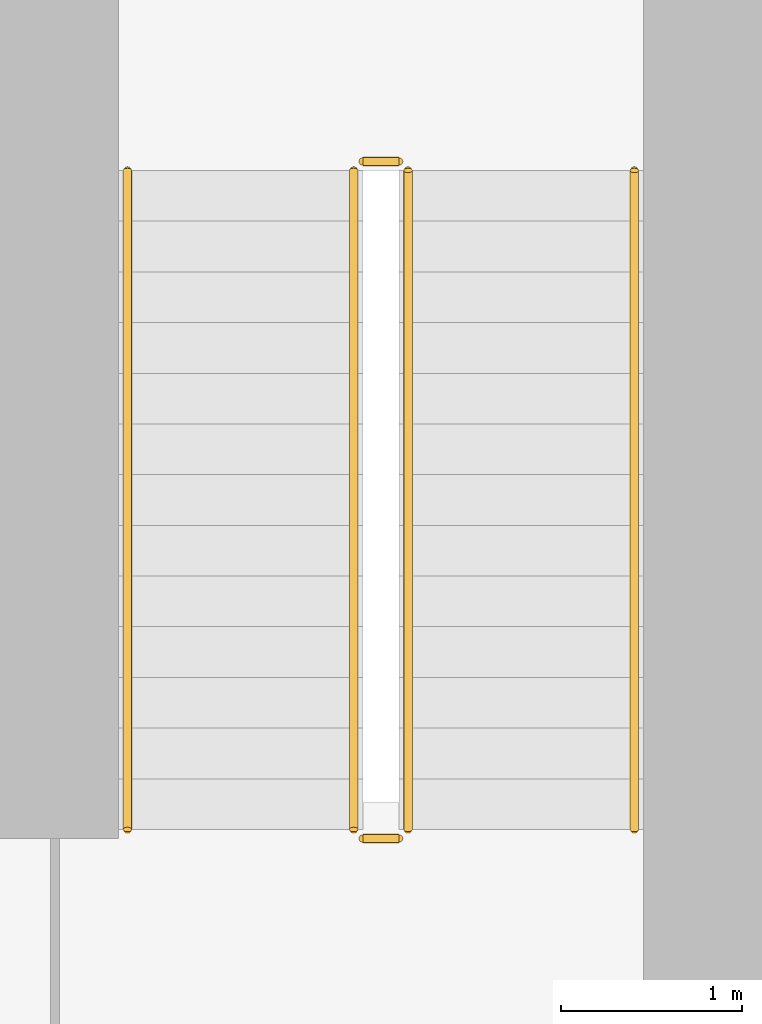
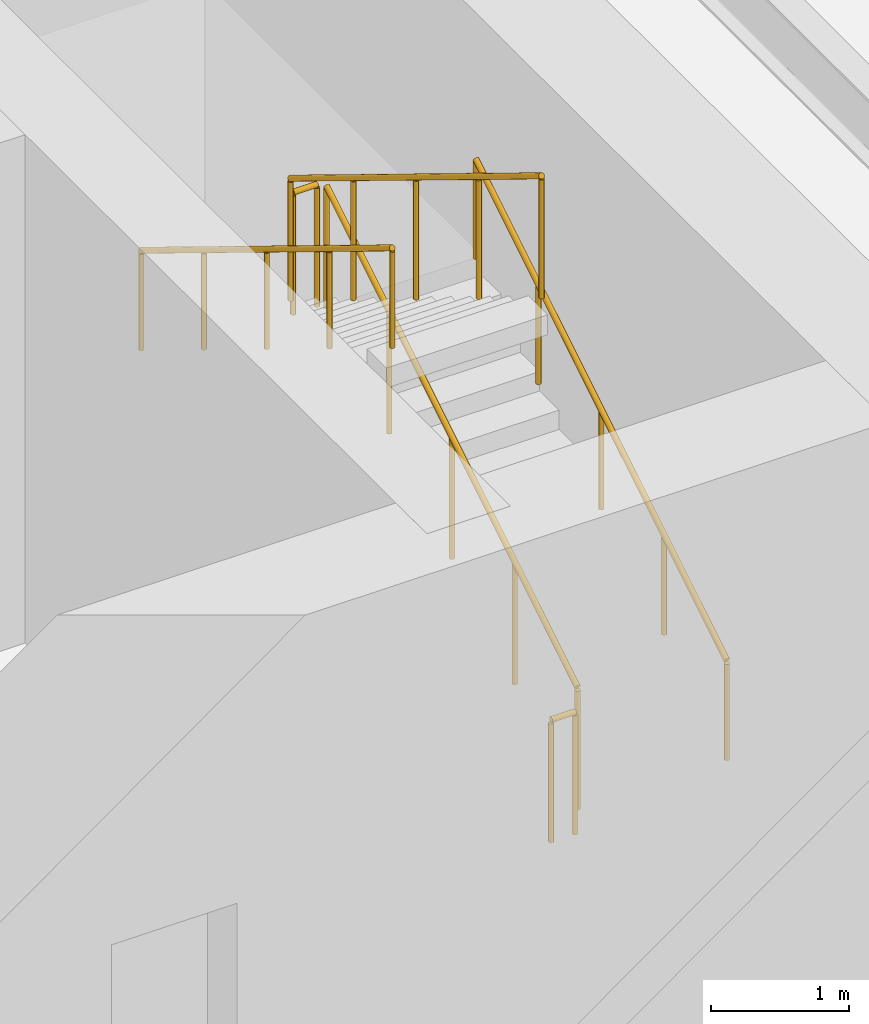
# One storey, part 17 of 17: 6 railings.
"""IFC4 building model written with IfcOpenShell, lengths in metres."""

from ifc_helpers import new_model, si_unit, direction, frame, origin, origin_2d, place, context, subcontext, project, spatial, circle, extrude, material, type_object, element, save


model = new_model("IFC4")

# Units and contexts
model_context = context("Model", 3, precision=1e-05, world=origin(), true_north=direction((0.0, 1.0)))
body_context = subcontext(model_context, "Body", "Model", "MODEL_VIEW")
ifc_project = project(units=[si_unit("LENGTHUNIT", "METRE"), si_unit("AREAUNIT", "SQUARE_METRE"), si_unit("VOLUMEUNIT", "CUBIC_METRE"), si_unit("PLANEANGLEUNIT", "RADIAN"), si_unit("MASSUNIT", "GRAM", prefix="KILO")], contexts=[model_context])

# Site, building, storey
site_placement = place(None, origin())
site = spatial("IfcSite", under=ifc_project, at=site_placement, CompositionType="ELEMENT")
building_placement = place(site_placement, origin())
building = spatial("IfcBuilding", under=site, at=building_placement, Name="Caelmar Bay Residences", CompositionType="ELEMENT")
storey_placement = place(building_placement, frame((0.0, 0.0, 10.199951171875)))
storey = spatial("IfcBuildingStorey", under=building, at=storey_placement, Name="L02", CompositionType="ELEMENT", Elevation=10.199951171875)

# Railings
ifc_material_1 = material(Name="Painted galvanized steel stair guard 1100 mm", Category="steel")
railing_type_1 = type_object("IfcRailingType", Name="RL-GRD-1100", PredefinedType="GUARDRAIL", material=ifc_material_1)
railing_1_placement = place(storey_placement, frame((57.85009765625, 38.699951171875, 0.17138671875)))
element("IfcRailing", 1, at=railing_1_placement, inside=storey, type_object=railing_type_1, Name="L02 ST2 stair guard 1", PredefinedType="GUARDRAIL", context=body_context, shape_type="SweptSolid", body=[
    extrude(circle(Radius=0.02392578125, at=origin_2d()), frame((0.0, 0.0, 1.076171875), z_axis=(0.0, 0.852840387347, 0.522171689878), x_axis=(-1.0, 0.0, 0.0)), (0.0, 0.0, 1.0), 4.268310546875),
    extrude(circle(Radius=0.02099609375, at=origin_2d()), origin(), (0.0, 0.0, 1.0), 1.052001953125),
    extrude(circle(Radius=0.02099609375, at=origin_2d()), frame((0.0, 0.91015625, 0.55712890625)), (0.0, 0.0, 1.0), 1.052001953125),
    extrude(circle(Radius=0.02099609375, at=origin_2d()), frame((0.0, 1.820068359375, 1.1142578125)), (0.0, 0.0, 1.0), 1.052001953125),
    extrude(circle(Radius=0.02099609375, at=origin_2d()), frame((0.0, 2.72998046875, 1.671630859375)), (0.0, 0.0, 1.0), 1.052001953125),
    extrude(circle(Radius=0.02099609375, at=origin_2d()), frame((0.0, 3.64013671875, 2.228759765625)), (0.0, 0.0, 1.0), 1.052001953125),
])
railing_2_placement = place(storey_placement, frame((57.800048828125, 42.389892578125, 2.400146484375)))
element("IfcRailing", 2, at=railing_2_placement, inside=storey, type_object=railing_type_1, Name="L02 ST2 stair guard 2", PredefinedType="GUARDRAIL", context=body_context, shape_type="SweptSolid", body=[
    extrude(circle(Radius=0.02392578125, at=origin_2d()), frame((0.0, 0.0, 1.076171875), z_axis=(-1.0, 0.0, 0.0), x_axis=(0.0, -1.0, 0.0)), (0.0, 0.0, 1.0), 0.199951171875),
    extrude(circle(Radius=0.02099609375, at=origin_2d()), origin(), (0.0, 0.0, 1.0), 1.052001953125),
    extrude(circle(Radius=0.02099609375, at=origin_2d()), frame((-0.199951171875, 0.0, 0.0)), (0.0, 0.0, 1.0), 1.052001953125),
])
railing_3_placement = place(storey_placement, frame((57.550048828125, 42.340087890625, 2.571533203125)))
element("IfcRailing", 3, at=railing_3_placement, inside=storey, type_object=railing_type_1, Name="L02 ST2 stair guard 3", PredefinedType="GUARDRAIL", context=body_context, shape_type="SweptSolid", body=[
    extrude(circle(Radius=0.02392578125, at=origin_2d()), frame((0.0, 0.0, 1.076171875), z_axis=(0.0, -0.852865859571, 0.52213008492), x_axis=(1.0, 0.0, 0.0)), (0.0, 0.0, 1.0), 4.26806640625),
    extrude(circle(Radius=0.02099609375, at=origin_2d()), origin(), (0.0, 0.0, 1.0), 1.052001953125),
    extrude(circle(Radius=0.02099609375, at=origin_2d()), frame((0.0, -0.91015625, 0.55712890625)), (0.0, 0.0, 1.0), 1.052001953125),
    extrude(circle(Radius=0.02099609375, at=origin_2d()), frame((0.0, -1.820068359375, 1.1142578125)), (0.0, 0.0, 1.0), 1.052001953125),
    extrude(circle(Radius=0.02099609375, at=origin_2d()), frame((0.0, -2.72998046875, 1.67138671875)), (0.0, 0.0, 1.0), 1.052001953125),
    extrude(circle(Radius=0.02099609375, at=origin_2d()), frame((0.0, -3.64013671875, 2.228515625)), (0.0, 0.0, 1.0), 1.052001953125),
])
railing_4_placement = place(storey_placement, frame((57.800048828125, 38.64990234375, 0.0)))
element("IfcRailing", 4, at=railing_4_placement, inside=storey, type_object=railing_type_1, Name="L02 ST2 stair guard 4", PredefinedType="GUARDRAIL", context=body_context, shape_type="SweptSolid", body=[
    extrude(circle(Radius=0.02392578125, at=origin_2d()), frame((0.0, 0.0, 1.076171875), z_axis=(-1.0, 0.0, 0.0), x_axis=(0.0, -1.0, 0.0)), (0.0, 0.0, 1.0), 0.199951171875),
    extrude(circle(Radius=0.02099609375, at=origin_2d()), origin(), (0.0, 0.0, 1.0), 1.052001953125),
    extrude(circle(Radius=0.02099609375, at=origin_2d()), frame((-0.199951171875, 0.0, 0.0)), (0.0, 0.0, 1.0), 1.052001953125),
])
ifc_material_2 = material(Name="Brushed bronze stainless-steel tubular handrail 900 mm", Category="steel")
railing_type_2 = type_object("IfcRailingType", Name="RL-HND-900", PredefinedType="HANDRAIL", material=ifc_material_2)
railing_5_placement = place(storey_placement, frame((59.10009765625, 38.699951171875, 0.17138671875)))
element("IfcRailing", 5, at=railing_5_placement, inside=storey, type_object=railing_type_2, Name="L02 ST2 stair handrail 1", PredefinedType="HANDRAIL", context=body_context, shape_type="SweptSolid", body=[
    extrude(circle(Radius=0.02392578125, at=origin_2d()), frame((0.0, 0.0, 0.8759765625), z_axis=(0.0, 0.852840387347, 0.522171689878), x_axis=(-1.0, 0.0, 0.0)), (0.0, 0.0, 1.0), 4.268310546875),
    extrude(circle(Radius=0.02099609375, at=origin_2d()), origin(), (0.0, 0.0, 1.0), 0.851806640625),
    extrude(circle(Radius=0.02099609375, at=origin_2d()), frame((0.0, 0.91015625, 0.55712890625)), (0.0, 0.0, 1.0), 0.851806640625),
    extrude(circle(Radius=0.02099609375, at=origin_2d()), frame((0.0, 1.820068359375, 1.1142578125)), (0.0, 0.0, 1.0), 0.851806640625),
    extrude(circle(Radius=0.02099609375, at=origin_2d()), frame((0.0, 2.72998046875, 1.671630859375)), (0.0, 0.0, 1.0), 0.851806640625),
    extrude(circle(Radius=0.02099609375, at=origin_2d()), frame((0.0, 3.64013671875, 2.228759765625)), (0.0, 0.0, 1.0), 0.851806640625),
])
railing_6_placement = place(storey_placement, frame((56.300048828125, 42.340087890625, 2.571533203125)))
element("IfcRailing", 6, at=railing_6_placement, inside=storey, type_object=railing_type_2, Name="L02 ST2 stair handrail 2", PredefinedType="HANDRAIL", context=body_context, shape_type="SweptSolid", body=[
    extrude(circle(Radius=0.02392578125, at=origin_2d()), frame((0.0, 0.0, 0.8759765625), z_axis=(0.0, -0.852865859571, 0.52213008492), x_axis=(1.0, 0.0, 0.0)), (0.0, 0.0, 1.0), 4.26806640625),
    extrude(circle(Radius=0.02099609375, at=origin_2d()), origin(), (0.0, 0.0, 1.0), 0.851806640625),
    extrude(circle(Radius=0.02099609375, at=origin_2d()), frame((0.0, -0.91015625, 0.55712890625)), (0.0, 0.0, 1.0), 0.851806640625),
    extrude(circle(Radius=0.02099609375, at=origin_2d()), frame((0.0, -1.820068359375, 1.1142578125)), (0.0, 0.0, 1.0), 0.851806640625),
    extrude(circle(Radius=0.02099609375, at=origin_2d()), frame((0.0, -2.72998046875, 1.67138671875)), (0.0, 0.0, 1.0), 0.851806640625),
    extrude(circle(Radius=0.02099609375, at=origin_2d()), frame((0.0, -3.64013671875, 2.228515625)), (0.0, 0.0, 1.0), 0.851806640625),
])

save(model, "model.ifc")
